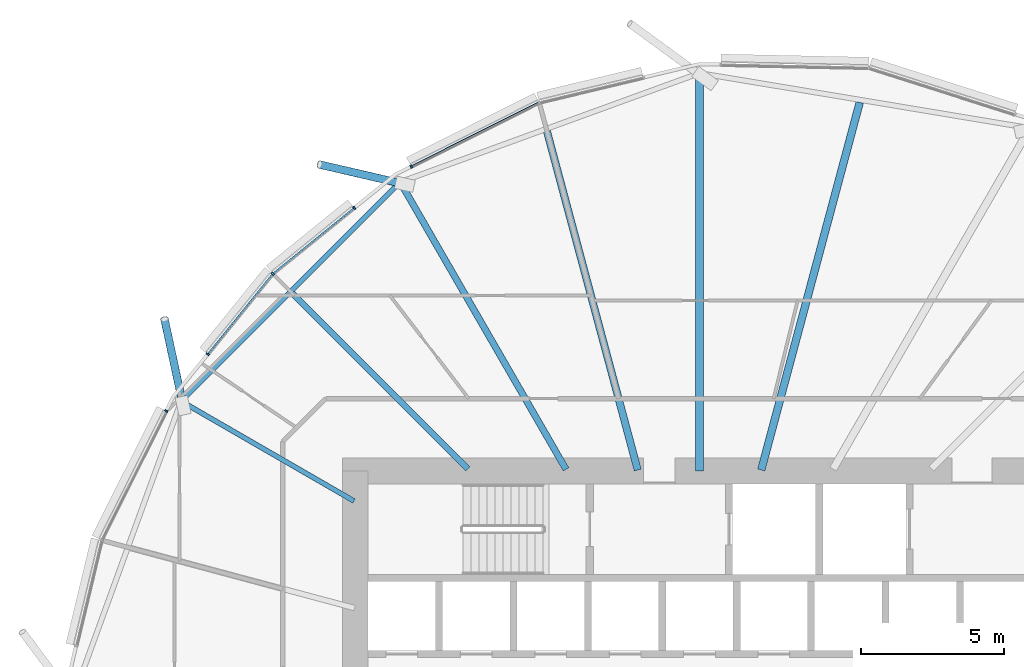
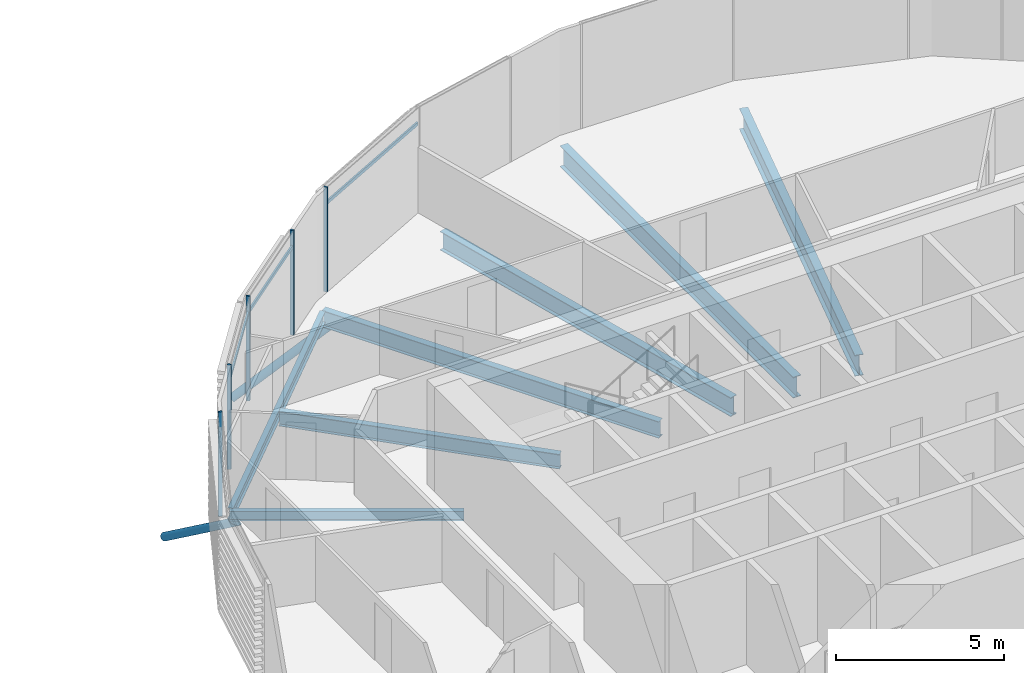
# One storey, part 16 of 38: 10 members, 7 beams, 1 element without a shape of its own.
"""IFC4 building model written with IfcOpenShell, lengths in metres."""

from ifc_helpers import new_model, si_unit, direction, frame, origin, origin_2d, place, context, subcontext, project, spatial, rectangle, hollow_circle, i_section, extrude, clip, halfspace, material, material_profile, profile_set, type_object, element, aggregate, save


model = new_model("IFC4")

# Units and contexts
model_context = context("Model", 3, precision=1e-05, world=origin(), true_north=direction((0.0, 1.0)))
body_context = subcontext(model_context, "Body", "Model", "MODEL_VIEW")
ifc_project = project(units=[si_unit("LENGTHUNIT", "METRE"), si_unit("AREAUNIT", "SQUARE_METRE"), si_unit("VOLUMEUNIT", "CUBIC_METRE"), si_unit("PLANEANGLEUNIT", "RADIAN"), si_unit("MASSUNIT", "GRAM", prefix="KILO")], contexts=[model_context])

# Site, building, storey
site_placement = place(None, origin())
site = spatial("IfcSite", under=ifc_project, at=site_placement, CompositionType="ELEMENT")
building_placement = place(site_placement, origin())
building = spatial("IfcBuilding", under=site, at=building_placement, Name="Rimbun Link Towers", CompositionType="ELEMENT")
storey_placement = place(building_placement, frame((0.0, 0.0, 71.800048828125)))
storey = spatial("IfcBuildingStorey", under=building, at=storey_placement, Name="L17", CompositionType="ELEMENT", Elevation=71.800048828125)

# Curtain wall, members
ifc_material_1 = material(Name="Aluminium 6063-T6 and low-iron glass", Category="aluminium")
curtain_wall_type = type_object("IfcCurtainWallType", Name="CW1 unitised vision wall", PredefinedType="NOTDEFINED", material=ifc_material_1)
curtain_wall_placement = place(storey_placement, origin())
curtain_wall = element("IfcCurtainWall", 1, at=curtain_wall_placement, inside=storey, type_object=curtain_wall_type, Name="CW1 L17 T2", PredefinedType="NOTDEFINED")
ifc_material_2 = material(Name="Aluminium 6063-T6", Category="aluminium")
ifc_material_profile_1 = material_profile(ifc_material_2, rectangle(XDim=0.1201171875, YDim=0.06005859375, at=origin_2d()), Name="MULLION 60X120")
ifc_profile_set_1 = profile_set([ifc_material_profile_1], Name="Aluminium 6063-T6")
member_type_1 = type_object("IfcMemberType", Name="CW1 mullion 60X120", PredefinedType="MULLION", material=ifc_profile_set_1)
member_1_placement = place(storey_placement, frame((21.69873046875, 18.6142578125, 0.0), z_axis=(0.0, 0.0, 1.0), x_axis=(-0.448782301468, 0.893641116942, 0.0)))
member_1 = element("IfcMember", 2, at=member_1_placement, type_object=member_type_1, Name="CW1 mullion", PredefinedType="MULLION", context=body_context, shape_type="SweptSolid", body=[
    extrude(rectangle(XDim=0.1201171875, YDim=0.06005859375, at=origin_2d()), origin(), (0.0, 0.0, 1.0), 3.800048828125),
])
member_2_placement = place(storey_placement, frame((16.87451171875, 14.87548828125, 0.0), z_axis=(0.0, 0.0, 1.0), x_axis=(-0.707106781187, 0.707106781187, 0.0)))
member_2 = element("IfcMember", 3, at=member_2_placement, type_object=member_type_1, Name="CW1 mullion", PredefinedType="MULLION", context=body_context, shape_type="SweptSolid", body=[
    extrude(rectangle(XDim=0.1201171875, YDim=0.06005859375, at=origin_2d()), origin(), (0.0, 0.0, 1.0), 3.800048828125),
])
member_3_placement = place(storey_placement, frame((19.7138671875, 17.174072265625, 0.0), z_axis=(0.0, 0.0, 1.0), x_axis=(-0.629155313069, 0.777279609946, 0.0)))
member_3 = element("IfcMember", 4, at=member_3_placement, type_object=member_type_1, Name="CW1 mullion", PredefinedType="MULLION", context=body_context, shape_type="SweptSolid", body=[
    extrude(rectangle(XDim=0.1201171875, YDim=0.06005859375, at=origin_2d()), origin(), (0.0, 0.0, 1.0), 3.800048828125),
])
member_4_placement = place(storey_placement, frame((14.607421875, 12.0751953125, 0.0), z_axis=(0.0, 0.0, 1.0), x_axis=(-0.777279609946, 0.629155313069, 0.0)))
member_4 = element("IfcMember", 5, at=member_4_placement, type_object=member_type_1, Name="CW1 mullion", PredefinedType="MULLION", context=body_context, shape_type="SweptSolid", body=[
    extrude(rectangle(XDim=0.1201171875, YDim=0.06005859375, at=origin_2d()), origin(), (0.0, 0.0, 1.0), 3.800048828125),
])
member_5_placement = place(storey_placement, frame((13.158203125, 10.095947265625, 0.0), z_axis=(0.0, 0.0, 1.0), x_axis=(-0.893641116942, 0.448782301468, 0.0)))
member_5 = element("IfcMember", 6, at=member_5_placement, type_object=member_type_1, Name="CW1 mullion", PredefinedType="MULLION", context=body_context, shape_type="SweptSolid", body=[
    extrude(rectangle(XDim=0.1201171875, YDim=0.06005859375, at=origin_2d()), origin(), (0.0, 0.0, 1.0), 3.800048828125),
])
ifc_material_3 = material(Name="Aluminium 6063-T6", Category="aluminium")
ifc_material_profile_2 = material_profile(ifc_material_3, rectangle(XDim=0.06005859375, YDim=0.1201171875, at=origin_2d()), Name="TRANSOM 60X120")
ifc_profile_set_2 = profile_set([ifc_material_profile_2], Name="Aluminium 6063-T6")
member_type_2 = type_object("IfcMemberType", Name="CW1 transom 60X120", PredefinedType="USERDEFINED", material=ifc_profile_set_2)
member_6_placement = place(storey_placement, frame((21.7265625, 18.6259765625, 3.199951171875), z_axis=(0.893642051411, 0.448780440695, 0.0), x_axis=(-0.448780440695, 0.893642051411, 0.0)))
member_6 = element("IfcMember", 7, at=member_6_placement, type_object=member_type_2, Name="CW1 transom", ObjectType="TRANSOM", PredefinedType="USERDEFINED", context=body_context, shape_type="SweptSolid", body=[
    extrude(rectangle(XDim=0.06005859375, YDim=0.1201171875, at=origin_2d()), origin(), (0.0, 0.0, 1.0), 4.921630859375),
])
member_7_placement = place(storey_placement, frame((16.90380859375, 14.89697265625, 3.199951171875), z_axis=(0.777276572955, 0.629159065051, 0.0), x_axis=(-0.629159065051, 0.777276572955, 0.0)))
member_7 = element("IfcMember", 8, at=member_7_placement, type_object=member_type_2, Name="CW1 transom", ObjectType="TRANSOM", PredefinedType="USERDEFINED", context=body_context, shape_type="SweptSolid", body=[
    extrude(rectangle(XDim=0.06005859375, YDim=0.1201171875, at=origin_2d()), origin(), (0.0, 0.0, 1.0), 3.586669921875),
])
member_8_placement = place(storey_placement, frame((14.6279296875, 12.09716796875, 3.199951171875), z_axis=(0.629146596033, 0.777286665716, 0.0), x_axis=(-0.777286665716, 0.629146596033, 0.0)))
member_8 = element("IfcMember", 9, at=member_8_placement, type_object=member_type_2, Name="CW1 transom", ObjectType="TRANSOM", PredefinedType="USERDEFINED", context=body_context, shape_type="SweptSolid", body=[
    extrude(rectangle(XDim=0.06005859375, YDim=0.1201171875, at=origin_2d()), origin(), (0.0, 0.0, 1.0), 3.53662109375),
])
aggregate(curtain_wall, [member_1, member_2, member_3, member_4, member_5, member_6, member_7, member_8])

# Members
ifc_material_4 = material(Name="Steel S355J2H", Category="steel")
ifc_material_profile_3 = material_profile(ifc_material_4, hollow_circle(Radius=0.136474609375, WallThickness=0.012451171875, at=origin_2d()), Name="CHS 273x12.5")
ifc_profile_set_3 = profile_set([ifc_material_profile_3], Name="Steel S355J2H")
member_type_3 = type_object("IfcMemberType", Name="Floor edge link CHS 273x12.5", PredefinedType="BRACE", material=ifc_profile_set_3)
member_9_placement = place(storey_placement, frame((21.341064453125, 18.02880859375, -0.876708984375), z_axis=(-0.812435259538, 0.188197910464, -0.551842817799), x_axis=(-0.225670999028, -0.974203572257, 0.0)))
element("IfcMember", 10, at=member_9_placement, inside=storey, type_object=member_type_3, Name="Floor edge link T2 L17 05", PredefinedType="BRACE", context=body_context, shape_type="Clipping", body=[
    clip(extrude(hollow_circle(Radius=0.136474609375, WallThickness=0.012451171875, at=origin_2d()), frame((0.0, 0.0, -0.4306640625)), (0.0, 0.0, 1.0), 3.9345703125), halfspace(frame((0.0, 0.0, -0.203125), z_axis=(0.0, 0.833948142538, -0.551842817799)), False)),
])
member_10_placement = place(storey_placement, frame((13.72119140625, 10.408935546875, -0.62744140625), z_axis=(-0.173452802706, 0.804276467059, -0.568377946237), x_axis=(-0.977525701068, -0.210816279616, 0.0)))
element("IfcMember", 11, at=member_10_placement, inside=storey, type_object=member_type_3, Name="Floor edge link T2 L17 07", PredefinedType="BRACE", context=body_context, shape_type="Clipping", body=[
    clip(extrude(hollow_circle(Radius=0.136474609375, WallThickness=0.012451171875, at=origin_2d()), frame((0.0, 0.0, -0.412841796875)), (0.0, 0.0, 1.0), 4.017578125), halfspace(frame((0.0, 0.0, -0.1943359375), z_axis=(0.0, 0.82276759187, -0.568377946237)), False)),
])

# Beams
ifc_material_5 = material(Name="Steel S355J2", Category="steel")
ifc_material_profile_4 = material_profile(ifc_material_5, i_section(OverallWidth=0.17138671875, OverallDepth=0.35498046875, WebThickness=0.00732421875, FlangeThickness=0.011474609375, at=origin_2d()), Name="UB 356x171x51")
ifc_profile_set_4 = profile_set([ifc_material_profile_4], Name="Steel S355J2")
beam_type_1 = type_object("IfcBeamType", Name="UB 356x171x51", PredefinedType="BEAM", material=ifc_profile_set_4)
beam_1_placement = place(storey_placement, frame((19.706298828125, 6.95361328125, -0.337646484375), z_axis=(-0.866039570911, 0.499975461013, 0.0), x_axis=(-0.499975461013, -0.866039570911, 0.0)))
element("IfcBeam", 12, at=beam_1_placement, inside=storey, type_object=beam_type_1, Name="Radial beam T2 L17 07", PredefinedType="BEAM", context=body_context, shape_type="SweptSolid", body=[
    extrude(i_section(OverallWidth=0.17138671875, OverallDepth=0.35498046875, WebThickness=0.00732421875, FlangeThickness=0.011474609375, at=origin_2d()), origin(), (0.0, 0.0, 1.0), 6.960693359375),
])
ifc_material_6 = material(Name="Steel S355J2", Category="steel")
ifc_material_profile_5 = material_profile(ifc_material_6, i_section(OverallWidth=0.177978515625, OverallDepth=0.406494140625, WebThickness=0.0078125, FlangeThickness=0.0126953125, at=origin_2d()), Name="UB 406x178x60")
ifc_profile_set_5 = profile_set([ifc_material_profile_5], Name="Steel S355J2")
beam_type_2 = type_object("IfcBeamType", Name="UB 406x178x60", PredefinedType="BEAM", material=ifc_profile_set_5)
beam_2_placement = place(storey_placement, frame((21.23193359375, 17.988037109375, -0.36328125), z_axis=(-0.707095257752, -0.707118304434, 0.0), x_axis=(0.707118304434, -0.707095257752, 0.0)))
element("IfcBeam", 13, at=beam_2_placement, inside=storey, type_object=beam_type_2, Name="Edge beam T2 L17 05-07", PredefinedType="BEAM", context=body_context, shape_type="SweptSolid", body=[
    extrude(i_section(OverallWidth=0.177978515625, OverallDepth=0.406494140625, WebThickness=0.0078125, FlangeThickness=0.0126953125, at=origin_2d()), origin(), (0.0, 0.0, 1.0), 10.59326171875),
])
ifc_material_7 = material(Name="Steel S355J2", Category="steel")
ifc_material_profile_6 = material_profile(ifc_material_7, i_section(OverallWidth=0.209228515625, OverallDepth=0.533203125, WebThickness=0.010009765625, FlangeThickness=0.015625, at=origin_2d()), Name="UB 533x210x92")
ifc_profile_set_6 = profile_set([ifc_material_profile_6], Name="Steel S355J2")
beam_type_3 = type_object("IfcBeamType", Name="UB 533x210x92", PredefinedType="BEAM", material=ifc_profile_set_6)
beam_3_placement = place(storey_placement, frame((23.67529296875, 8.07470703125, -0.426513671875), z_axis=(-0.707106781187, 0.707106781187, 0.0), x_axis=(-0.707106781187, -0.707106781187, 0.0)))
element("IfcBeam", 14, at=beam_3_placement, inside=storey, type_object=beam_type_3, Name="Radial beam T2 L17 06", PredefinedType="BEAM", context=body_context, shape_type="SweptSolid", body=[
    extrude(i_section(OverallWidth=0.209228515625, OverallDepth=0.533203125, WebThickness=0.010009765625, FlangeThickness=0.015625, at=origin_2d()), origin(), (0.0, 0.0, 1.0), 8.6474609375),
])
ifc_material_8 = material(Name="Steel S355J2", Category="steel")
ifc_material_profile_7 = material_profile(ifc_material_8, i_section(OverallWidth=0.2275390625, OverallDepth=0.6025390625, WebThickness=0.010498046875, FlangeThickness=0.014892578125, at=origin_2d()), Name="UB 610x229x101")
ifc_profile_set_7 = profile_set([ifc_material_profile_7], Name="Steel S355J2")
beam_type_4 = type_object("IfcBeamType", Name="UB 610x229x101", PredefinedType="BEAM", material=ifc_profile_set_7)
beam_4_placement = place(storey_placement, frame((27.097900390625, 8.057861328125, -0.46142578125), z_axis=(-0.500003905814, 0.86602314875, 0.0), x_axis=(-0.86602314875, -0.500003905814, 0.0)))
element("IfcBeam", 15, at=beam_4_placement, inside=storey, type_object=beam_type_4, Name="Radial beam T2 L17 05", PredefinedType="BEAM", context=body_context, shape_type="SweptSolid", body=[
    extrude(i_section(OverallWidth=0.2275390625, OverallDepth=0.6025390625, WebThickness=0.010498046875, FlangeThickness=0.014892578125, at=origin_2d()), origin(), (0.0, 0.0, 1.0), 11.5634765625),
])
ifc_material_9 = material(Name="Steel S355J2", Category="steel")
ifc_material_profile_8 = material_profile(ifc_material_9, i_section(OverallWidth=0.253662109375, OverallDepth=0.68359375, WebThickness=0.012451171875, FlangeThickness=0.01904296875, at=origin_2d()), Name="UB 686x254x140")
ifc_profile_set_8 = profile_set([ifc_material_profile_8], Name="Steel S355J2")
beam_type_5 = type_object("IfcBeamType", Name="UB 686x254x140", PredefinedType="BEAM", material=ifc_profile_set_8)
beam_5_placement = place(storey_placement, frame((29.597412109375, 8.03369140625, -0.501953125), z_axis=(-0.258823610988, 0.965924602852, 0.0), x_axis=(-0.965924602852, -0.258823610988, 0.0)))
element("IfcBeam", 16, at=beam_5_placement, inside=storey, type_object=beam_type_5, Name="Radial beam T2 L17 04", PredefinedType="BEAM", context=body_context, shape_type="SweptSolid", body=[
    extrude(i_section(OverallWidth=0.253662109375, OverallDepth=0.68359375, WebThickness=0.012451171875, FlangeThickness=0.01904296875, at=origin_2d()), origin(), (0.0, 0.0, 1.0), 12.222900390625),
])
ifc_material_10 = material(Name="Steel S355J2", Category="steel")
ifc_material_profile_9 = material_profile(ifc_material_10, i_section(OverallWidth=0.2666015625, OverallDepth=0.76220703125, WebThickness=0.014404296875, FlangeThickness=0.021484375, at=origin_2d()), Name="UB 762x267x173")
ifc_profile_set_9 = profile_set([ifc_material_profile_9], Name="Steel S355J2")
beam_type_6 = type_object("IfcBeamType", Name="UB 762x267x173", PredefinedType="BEAM", material=ifc_profile_set_9)
beam_6_placement = place(storey_placement, frame((33.903076171875, 8.035400390625, -0.541259765625), z_axis=(0.258820400429, 0.965925463129, 0.0), x_axis=(-0.965925463129, 0.258820400429, 0.0)))
element("IfcBeam", 17, at=beam_6_placement, inside=storey, type_object=beam_type_6, Name="Radial beam T2 L17 02", PredefinedType="BEAM", context=body_context, shape_type="SweptSolid", body=[
    extrude(i_section(OverallWidth=0.2666015625, OverallDepth=0.76220703125, WebThickness=0.014404296875, FlangeThickness=0.021484375, at=origin_2d()), origin(), (0.0, 0.0, 1.0), 13.267333984375),
])
beam_7_placement = place(storey_placement, frame((31.75, 8.0009765625, -0.541259765625), z_axis=(0.0, 1.0, 0.0), x_axis=(-1.0, 0.0, 0.0)))
element("IfcBeam", 18, at=beam_7_placement, inside=storey, type_object=beam_type_6, Name="Radial beam T2 L17 03", PredefinedType="BEAM", context=body_context, shape_type="SweptSolid", body=[
    extrude(i_section(OverallWidth=0.2666015625, OverallDepth=0.76220703125, WebThickness=0.014404296875, FlangeThickness=0.021484375, at=origin_2d()), origin(), (0.0, 0.0, 1.0), 13.870849609375),
])

save(model, "model.ifc")
